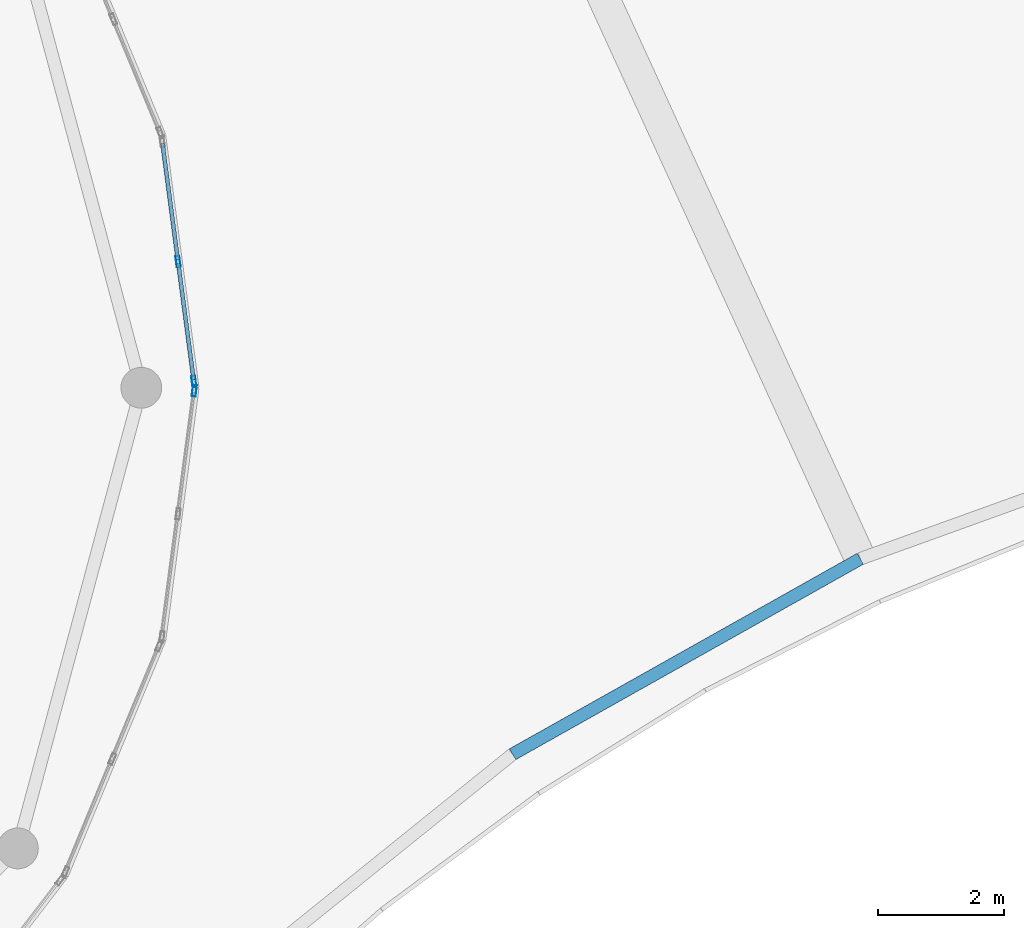
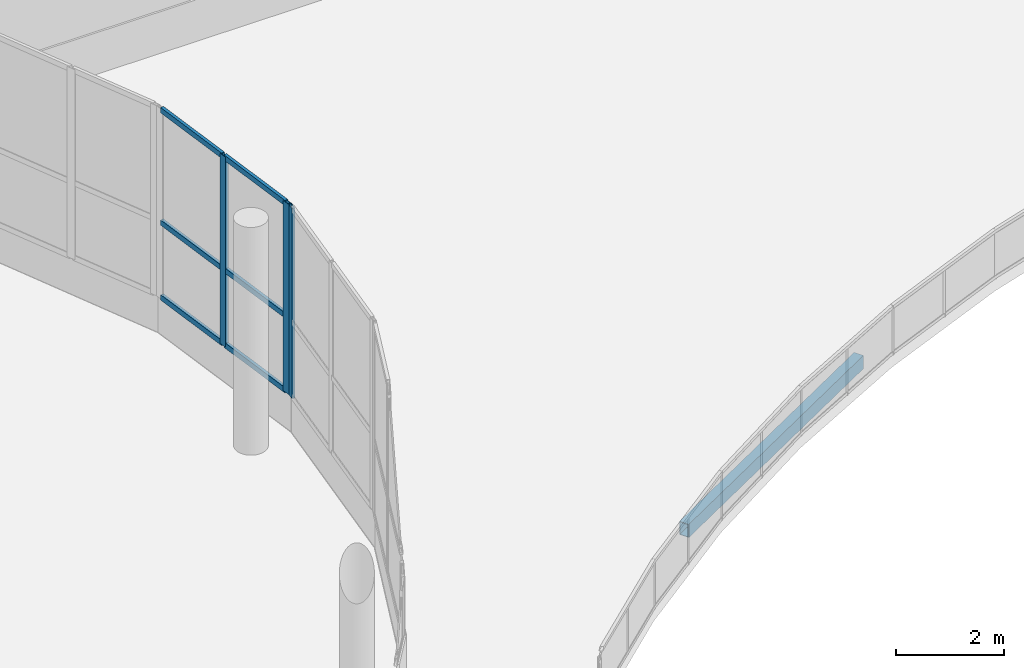
# One storey, part 16 of 101: 9 members, 1 beam, 2 elements without a shape of their own.
"""IFC4 building model written with IfcOpenShell, lengths in metres."""

from ifc_helpers import new_model, si_unit, direction, frame, origin, origin_2d, place, context, subcontext, project, spatial, hollow_rectangle, extrude, material, material_profile, profile_set, type_object, element, aggregate, save


model = new_model("IFC4")

# Units and contexts
model_context = context("Model", 3, precision=1e-05, world=origin(), true_north=direction((0.0, 1.0)))
body_context = subcontext(model_context, "Body", "Model", "MODEL_VIEW")
ifc_project = project(units=[si_unit("LENGTHUNIT", "METRE"), si_unit("AREAUNIT", "SQUARE_METRE"), si_unit("VOLUMEUNIT", "CUBIC_METRE"), si_unit("PLANEANGLEUNIT", "RADIAN"), si_unit("MASSUNIT", "GRAM", prefix="KILO")], contexts=[model_context])

# Site, building, storey
site_placement = place(None, origin())
site = spatial("IfcSite", under=ifc_project, at=site_placement, CompositionType="ELEMENT")
building_placement = place(site_placement, origin())
building = spatial("IfcBuilding", under=site, at=building_placement, Name="Selatvlak General Hospital", CompositionType="ELEMENT")
storey_placement = place(building_placement, frame((0.0, 0.0, 19.199951171875)))
storey = spatial("IfcBuildingStorey", under=building, at=storey_placement, Name="L04", CompositionType="ELEMENT", Elevation=19.199951171875)

# Beam
ifc_material_1 = material(Name="Steel S355", Category="steel")
ifc_material_profile_1 = material_profile(ifc_material_1, hollow_rectangle(XDim=0.199951171875, YDim=0.300048828125, WallThickness=0.011962890625, at=origin_2d()), Name="RHS 300x200x12")
ifc_profile_set_1 = profile_set([ifc_material_profile_1], Name="Steel S355")
beam_type = type_object("IfcBeamType", Name="BM-SP3", PredefinedType="SPANDREL", material=ifc_profile_set_1)
beam_placement = place(storey_placement, frame((118.552978515625, 48.172119140625, -0.43994140625), z_axis=(0.871730663488, 0.489985357266, 0.0), x_axis=(-0.489985357266, 0.871730663488, 0.0)))
element("IfcBeam", 1, at=beam_placement, inside=storey, type_object=beam_type, Name="Beam BMR-L04-1848", PredefinedType="SPANDREL", context=body_context, shape_type="SweptSolid", body=[
    extrude(hollow_rectangle(XDim=0.199951171875, YDim=0.300048828125, WallThickness=0.011962890625, at=origin_2d()), origin(), (0.0, 0.0, 1.0), 6.344970703125),
])

# Curtain wall, member
ifc_material_2 = material(Name="Solar-control Low-E double glazing", Category="glass")
curtain_wall_type_1 = type_object("IfcCurtainWallType", Name="CW-CW-04", PredefinedType="USERDEFINED", material=ifc_material_2)
curtain_wall_1_placement = place(storey_placement, origin())
curtain_wall_1 = element("IfcCurtainWall", 2, at=curtain_wall_1_placement, inside=storey, type_object=curtain_wall_type_1, Name="Glazed facade curtain wall CW-L04-0519", ObjectType="STICK GLAZING WALL", PredefinedType="USERDEFINED")
ifc_material_3 = material(Name="Dark anodised aluminium mullion", Category="aluminium")
ifc_material_profile_2 = material_profile(ifc_material_3, hollow_rectangle(XDim=0.06494140625, YDim=0.179931640625, WallThickness=0.00439453125, at=origin_2d()), Name="AL-MUL 65x180x4.5")
ifc_profile_set_2 = profile_set([ifc_material_profile_2], Name="Dark anodised aluminium mullion")
member_type_1 = type_object("IfcMemberType", Name="CWM-02", PredefinedType="MULLION", material=ifc_profile_set_2)
member_1_placement = place(storey_placement, frame((113.49365234375, 53.952880859375, 0.85009765625), z_axis=(0.0, 0.0, 1.0), x_axis=(0.991448360837, -0.130499608402, 0.0)))
member_1 = element("IfcMember", 3, at=member_1_placement, type_object=member_type_1, Name="CW-04 mullion 1", PredefinedType="MULLION", context=body_context, shape_type="SweptSolid", body=[
    extrude(hollow_rectangle(XDim=0.06494140625, YDim=0.179931640625, WallThickness=0.00439453125, at=origin_2d()), origin(), (0.0, 0.0, 1.0), 4.300048828125),
])
aggregate(curtain_wall_1, [member_1])

# Curtain wall, members
curtain_wall_type_2 = type_object("IfcCurtainWallType", Name="CW-CW-05", PredefinedType="USERDEFINED", material=ifc_material_2)
curtain_wall_2_placement = place(storey_placement, origin())
curtain_wall_2 = element("IfcCurtainWall", 4, at=curtain_wall_2_placement, inside=storey, type_object=curtain_wall_type_2, Name="Glazed facade curtain wall CW-L04-0542", ObjectType="STICK GLAZING WALL", PredefinedType="USERDEFINED")
member_2_placement = place(storey_placement, frame((113.235595703125, 56.006591796875, 0.85009765625), z_axis=(0.0, 0.0, 1.0), x_axis=(0.991451688149, 0.130474327229, 0.0)))
member_2 = element("IfcMember", 5, at=member_2_placement, type_object=member_type_1, Name="CW-05 mullion 2", PredefinedType="MULLION", context=body_context, shape_type="SweptSolid", body=[
    extrude(hollow_rectangle(XDim=0.06494140625, YDim=0.179931640625, WallThickness=0.00439453125, at=origin_2d()), origin(), (0.0, 0.0, 1.0), 4.300048828125),
])
member_3_placement = place(storey_placement, frame((113.48681640625, 54.09716796875, 0.85009765625), z_axis=(0.0, 0.0, 1.0), x_axis=(0.991451688149, 0.130474327229, 0.0)))
member_3 = element("IfcMember", 6, at=member_3_placement, type_object=member_type_1, Name="CW-05 mullion 3", PredefinedType="MULLION", context=body_context, shape_type="SweptSolid", body=[
    extrude(hollow_rectangle(XDim=0.06494140625, YDim=0.179931640625, WallThickness=0.00439453125, at=origin_2d()), origin(), (0.0, 0.0, 1.0), 4.300048828125),
])
ifc_material_profile_3 = material_profile(ifc_material_3, hollow_rectangle(XDim=0.06494140625, YDim=0.1201171875, WallThickness=0.00390625, at=origin_2d()), Name="AL-TRN 65x120x4")
ifc_profile_set_3 = profile_set([ifc_material_profile_3], Name="Dark anodised aluminium mullion")
member_type_2 = type_object("IfcMemberType", Name="CWT-01", PredefinedType="USERDEFINED", material=ifc_profile_set_3)
member_4_placement = place(storey_placement, frame((112.988525390625, 57.883544921875, 0.882568359375), z_axis=(0.130427358504, -0.991457868068, 0.0), x_axis=(0.991457868068, 0.130427358504, 0.0)))
member_4 = element("IfcMember", 7, at=member_4_placement, type_object=member_type_2, Name="CW-05 transom 1.1", ObjectType="TRANSOM", PredefinedType="USERDEFINED", context=body_context, shape_type="SweptSolid", body=[
    extrude(hollow_rectangle(XDim=0.06494140625, YDim=0.1201171875, WallThickness=0.00390625, at=origin_2d()), origin(), (0.0, 0.0, 1.0), 1.860595703125),
])
member_5_placement = place(storey_placement, frame((112.988525390625, 57.883544921875, 2.574951171875), z_axis=(0.130427358504, -0.991457868068, 0.0), x_axis=(0.991457868068, 0.130427358504, 0.0)))
member_5 = element("IfcMember", 8, at=member_5_placement, type_object=member_type_2, Name="CW-05 transom 1.2", ObjectType="TRANSOM", PredefinedType="USERDEFINED", context=body_context, shape_type="SweptSolid", body=[
    extrude(hollow_rectangle(XDim=0.06494140625, YDim=0.1201171875, WallThickness=0.00390625, at=origin_2d()), origin(), (0.0, 0.0, 1.0), 1.860595703125),
])
member_6_placement = place(storey_placement, frame((112.988525390625, 57.883544921875, 5.117431640625), z_axis=(0.130427358504, -0.991457868068, 0.0), x_axis=(0.991457868068, 0.130427358504, 0.0)))
member_6 = element("IfcMember", 9, at=member_6_placement, type_object=member_type_2, Name="CW-05 transom 1.3", ObjectType="TRANSOM", PredefinedType="USERDEFINED", context=body_context, shape_type="SweptSolid", body=[
    extrude(hollow_rectangle(XDim=0.06494140625, YDim=0.1201171875, WallThickness=0.00390625, at=origin_2d()), origin(), (0.0, 0.0, 1.0), 1.860595703125),
])
member_7_placement = place(storey_placement, frame((113.23974609375, 55.974365234375, 0.882568359375), z_axis=(0.130410392903, -0.991460099763, 0.0), x_axis=(0.991460099763, 0.130410392903, 0.0)))
member_7 = element("IfcMember", 10, at=member_7_placement, type_object=member_type_2, Name="CW-05 transom 2.1", ObjectType="TRANSOM", PredefinedType="USERDEFINED", context=body_context, shape_type="SweptSolid", body=[
    extrude(hollow_rectangle(XDim=0.06494140625, YDim=0.1201171875, WallThickness=0.00390625, at=origin_2d()), origin(), (0.0, 0.0, 1.0), 1.86083984375),
])
member_8_placement = place(storey_placement, frame((113.23974609375, 55.974365234375, 2.574951171875), z_axis=(0.130410392903, -0.991460099763, 0.0), x_axis=(0.991460099763, 0.130410392903, 0.0)))
member_8 = element("IfcMember", 11, at=member_8_placement, type_object=member_type_2, Name="CW-05 transom 2.2", ObjectType="TRANSOM", PredefinedType="USERDEFINED", context=body_context, shape_type="SweptSolid", body=[
    extrude(hollow_rectangle(XDim=0.06494140625, YDim=0.1201171875, WallThickness=0.00390625, at=origin_2d()), origin(), (0.0, 0.0, 1.0), 1.86083984375),
])
member_9_placement = place(storey_placement, frame((113.23974609375, 55.974365234375, 5.117431640625), z_axis=(0.130410392903, -0.991460099763, 0.0), x_axis=(0.991460099763, 0.130410392903, 0.0)))
member_9 = element("IfcMember", 12, at=member_9_placement, type_object=member_type_2, Name="CW-05 transom 2.3", ObjectType="TRANSOM", PredefinedType="USERDEFINED", context=body_context, shape_type="SweptSolid", body=[
    extrude(hollow_rectangle(XDim=0.06494140625, YDim=0.1201171875, WallThickness=0.00390625, at=origin_2d()), origin(), (0.0, 0.0, 1.0), 1.86083984375),
])
aggregate(curtain_wall_2, [member_2, member_3, member_4, member_5, member_6, member_7, member_8, member_9])

save(model, "model.ifc")
